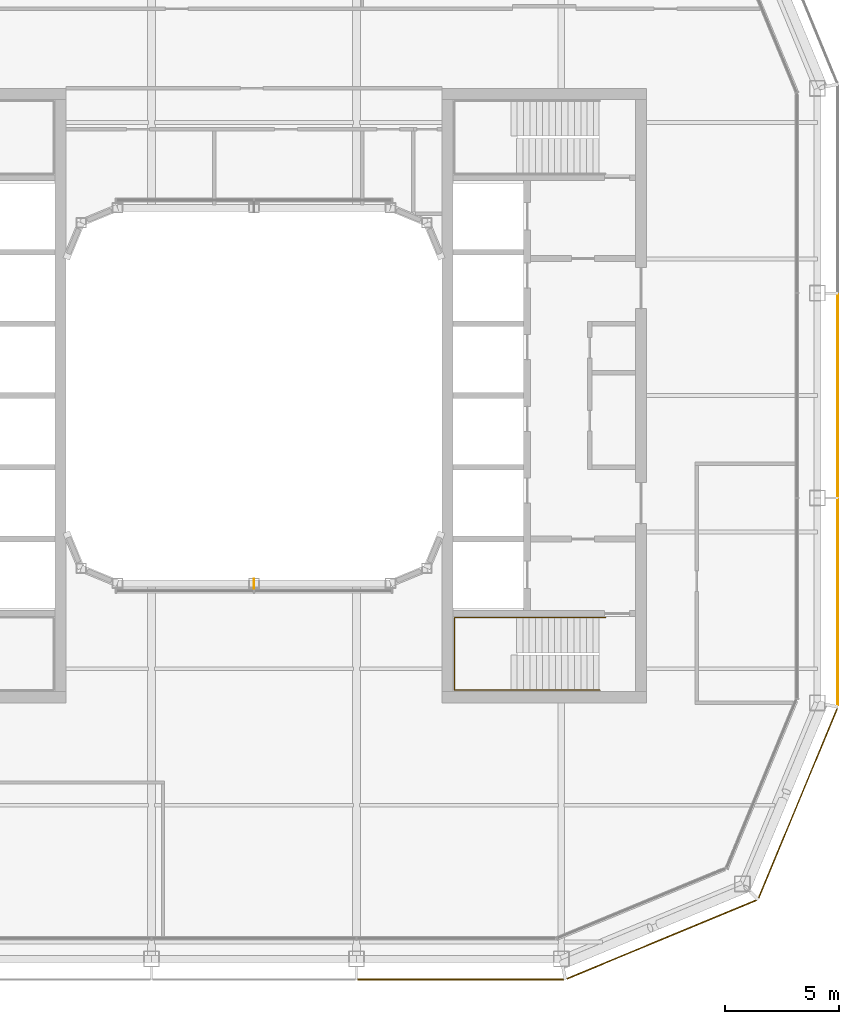
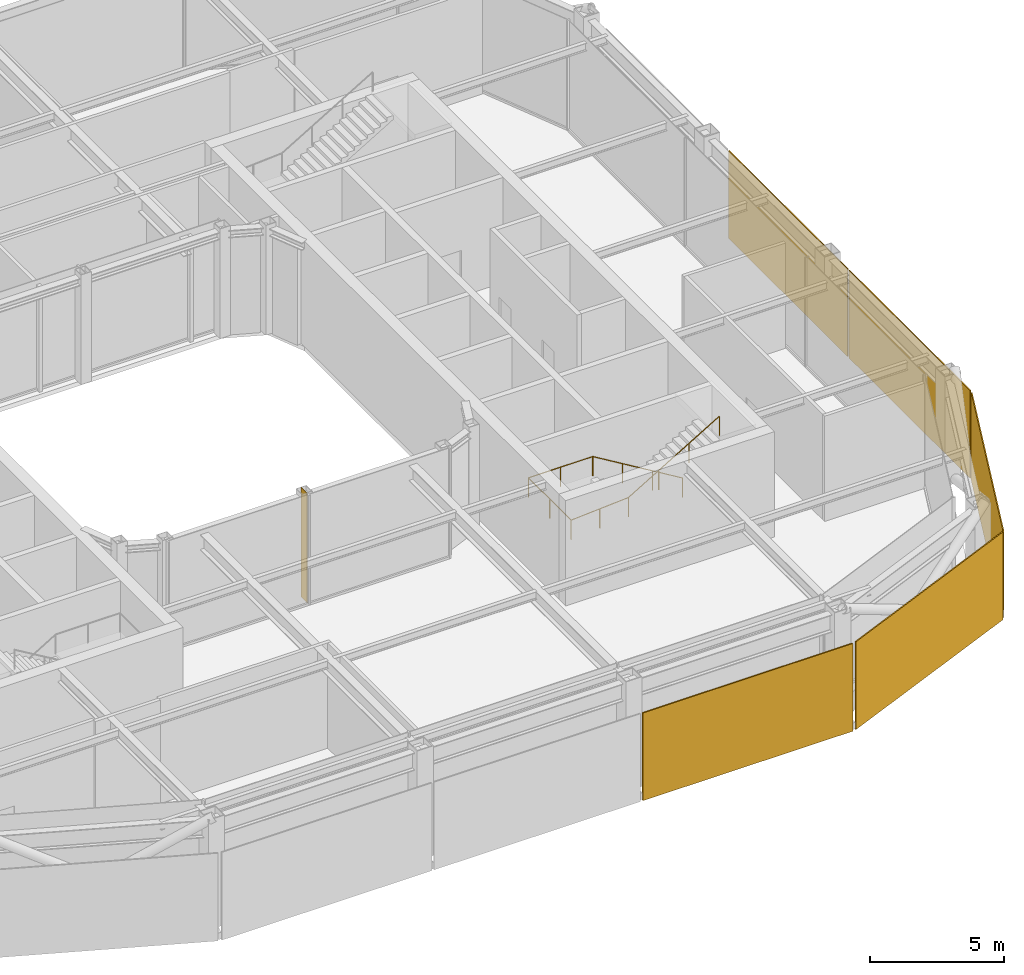
# One storey, part 15 of 17: 5 coverings, 1 railing, 1 shading device.
"""IFC4 building model written with IfcOpenShell, lengths in metres."""

from ifc_helpers import new_model, si_unit, direction, frame, origin, origin_2d, place, context, subcontext, project, spatial, rectangle, circle, extrude, material, layer, layer_set, type_object, element, save


model = new_model("IFC4")

# Units and contexts
model_context = context("Model", 3, precision=1e-05, world=origin(), true_north=direction((0.0, 1.0)))
body_context = subcontext(model_context, "Body", "Model", "MODEL_VIEW")
ifc_project = project(units=[si_unit("LENGTHUNIT", "METRE"), si_unit("AREAUNIT", "SQUARE_METRE"), si_unit("VOLUMEUNIT", "CUBIC_METRE"), si_unit("PLANEANGLEUNIT", "RADIAN"), si_unit("MASSUNIT", "GRAM", prefix="KILO")], contexts=[model_context])

# Site, building, storey
site_placement = place(None, origin())
site = spatial("IfcSite", under=ifc_project, at=site_placement, CompositionType="ELEMENT")
building_placement = place(site_placement, origin())
building = spatial("IfcBuilding", under=site, at=building_placement, Name="Siwar Civic Tower", CompositionType="ELEMENT")
storey_placement = place(building_placement, frame((0.0, 0.0, 353.199951171875)))
storey = spatial("IfcBuildingStorey", under=building, at=storey_placement, Name="L76", CompositionType="ELEMENT", Elevation=353.199951171875)

# Railing
ifc_material_1 = material(Name="Stainless steel", Category="steel")
railing_type = type_object("IfcRailingType", Name="CORE-STAIR-HANDRAIL", PredefinedType="HANDRAIL", material=ifc_material_1)
railing_placement = place(storey_placement, frame((15.449951171875, -9.758056640625, 0.166748046875)))
element("IfcRailing", 1, at=railing_placement, inside=storey, type_object=railing_type, Name="Stair handrail ST4", PredefinedType="HANDRAIL", context=body_context, shape_type="SweptSolid", body=[
    extrude(circle(Radius=0.02001953125, at=origin_2d()), frame((0.0, 0.0, 0.8798828125), z_axis=(-0.856384976194, 0.0, 0.516337847296), x_axis=(0.0, -1.0, 0.0)), (0.0, 0.0, 1.0), 4.518798828125),
    extrude(circle(Radius=0.02001953125, at=origin_2d()), frame((-3.869873046875, 0.0, 3.213134765625), z_axis=(-1.0, 0.0, 0.0), x_axis=(0.0, -1.0, 0.0)), (0.0, 0.0, 1.0), 2.77197265625),
    extrude(circle(Radius=0.02001953125, at=origin_2d()), frame((-6.641845703125, 0.0, 3.213134765625), z_axis=(0.0, -1.0, 0.0), x_axis=(1.0, 0.0, 0.0)), (0.0, 0.0, 1.0), 3.183837890625),
    extrude(circle(Radius=0.02001953125, at=origin_2d()), frame((-6.641845703125, -3.183837890625, 3.213134765625), z_axis=(0.997732526271, 0.0, 0.067303833624), x_axis=(0.0, 1.0, 0.0)), (0.0, 0.0, 1.0), 2.4775390625),
    extrude(circle(Radius=0.02001953125, at=origin_2d()), frame((-4.169921875, -3.183837890625, 3.3798828125), z_axis=(0.859296244711, 0.0, 0.511478214419), x_axis=(0.0, 1.0, 0.0)), (0.0, 0.0, 1.0), 4.561767578125),
    extrude(circle(Radius=0.02001953125, at=origin_2d()), origin(), (0.0, 0.0, 1.0), 0.85986328125),
    extrude(circle(Radius=0.02001953125, at=origin_2d()), frame((-1.2900390625, 0.0, 0.77783203125)), (0.0, 0.0, 1.0), 0.85986328125),
    extrude(circle(Radius=0.02001953125, at=origin_2d()), frame((-2.579833984375, 0.0, 1.555419921875)), (0.0, 0.0, 1.0), 0.85986328125),
    extrude(circle(Radius=0.02001953125, at=origin_2d()), frame((-3.869873046875, 0.0, 2.333251953125)), (0.0, 0.0, 1.0), 0.85986328125),
    extrude(circle(Radius=0.02001953125, at=origin_2d()), frame((-5.255859375, 0.0, 2.333251953125)), (0.0, 0.0, 1.0), 0.85986328125),
    extrude(circle(Radius=0.02001953125, at=origin_2d()), frame((-6.641845703125, 0.0, 2.333251953125)), (0.0, 0.0, 1.0), 0.85986328125),
    extrude(circle(Radius=0.02001953125, at=origin_2d()), frame((-6.641845703125, -1.591796875, 2.333251953125)), (0.0, 0.0, 1.0), 0.85986328125),
    extrude(circle(Radius=0.02001953125, at=origin_2d()), frame((-6.641845703125, -3.183837890625, 2.333251953125)), (0.0, 0.0, 1.0), 0.85986328125),
    extrude(circle(Radius=0.02001953125, at=origin_2d()), frame((-5.40576171875, -3.183837890625, 2.41650390625)), (0.0, 0.0, 1.0), 0.85986328125),
    extrude(circle(Radius=0.02001953125, at=origin_2d()), frame((-4.169921875, -3.183837890625, 2.5)), (0.0, 0.0, 1.0), 0.85986328125),
    extrude(circle(Radius=0.02001953125, at=origin_2d()), frame((-2.86328125, -3.183837890625, 3.27783203125)), (0.0, 0.0, 1.0), 0.85986328125),
    extrude(circle(Radius=0.02001953125, at=origin_2d()), frame((-1.556640625, -3.183837890625, 4.055419921875)), (0.0, 0.0, 1.0), 0.85986328125),
    extrude(circle(Radius=0.02001953125, at=origin_2d()), frame((-0.25, -3.183837890625, 4.833251953125)), (0.0, 0.0, 1.0), 0.85986328125),
])

# Shading device
ifc_material_2 = material(Name="Aluminium 6063-T6", Category="aluminium")
ifc_layer_1 = layer(ifc_material_2, 0.02001953125)
ifc_layer_set_1 = layer_set([ifc_layer_1], Name="Aluminium 6063-T6")
shading_device_type = type_object("IfcShadingDeviceType", Name="ENV-FIN", PredefinedType="JALOUSIE", material=ifc_layer_set_1)
shading_device_placement = place(storey_placement, frame((0.0, -8.27001953125, 0.0), z_axis=(0.0, 0.0, 1.0), x_axis=(1.0, 0.0, 0.0)))
element("IfcShadingDevice", 2, at=shading_device_placement, inside=storey, type_object=shading_device_type, Name="SUNSHADE fin WS 1", PredefinedType="JALOUSIE", context=body_context, shape_type="SweptSolid", body=[
    extrude(rectangle(XDim=0.02001953125, YDim=0.449951171875, at=origin_2d()), origin(), (0.0, 0.0, 1.0), 5.0),
])

# Coverings
ifc_material_3 = material(Name="Perforated aluminium cassette, pale metal", Category="aluminium")
ifc_layer_2 = layer(ifc_material_3, 0.0400390625)
ifc_layer_set_2 = layer_set([ifc_layer_2], Name="Perforated aluminium cassette, pale metal")
covering_type_1 = type_object("IfcCoveringType", Name="ENV-OUTER SKIN OS-1", PredefinedType="CLADDING", material=ifc_layer_set_2)
covering_1_placement = place(storey_placement, frame((25.64990234375, -9.07958984375, -0.199951171875), z_axis=(0.0, 0.0, 1.0), x_axis=(0.0, 1.0, 0.0)))
element("IfcCovering", 3, at=covering_1_placement, inside=storey, type_object=covering_type_1, Name="OUTER SKIN OS-1 E 1", PredefinedType="CLADDING", context=body_context, shape_type="SweptSolid", body=[
    extrude(rectangle(XDim=9.05908203125, YDim=0.0400390625, at=origin_2d()), origin(), (0.0, 0.0, 1.0), 4.0),
])
covering_2_placement = place(storey_placement, frame((25.64990234375, 0.0, -0.199951171875), z_axis=(0.0, 0.0, 1.0), x_axis=(0.0, 1.0, 0.0)))
element("IfcCovering", 4, at=covering_2_placement, inside=storey, type_object=covering_type_1, Name="OUTER SKIN OS-1 E 2", PredefinedType="CLADDING", context=body_context, shape_type="SweptSolid", body=[
    extrude(rectangle(XDim=8.89990234375, YDim=0.0400390625, at=origin_2d()), origin(), (0.0, 0.0, 1.0), 4.0),
])
ifc_material_4 = material(Name="Perforated aluminium cassette, pale metal", Category="aluminium")
ifc_layer_3 = layer(ifc_material_4, 0.044921875)
ifc_layer_set_3 = layer_set([ifc_layer_3], Name="Perforated aluminium cassette, pale metal")
covering_type_2 = type_object("IfcCoveringType", Name="ENV-OUTER SKIN OS-2", PredefinedType="CLADDING", material=ifc_layer_set_3)
covering_3_placement = place(storey_placement, frame((23.89697265625, -17.911376953125, -0.199951171875), z_axis=(0.0, 0.0, 1.0), x_axis=(0.382683432365, 0.923879532511, 0.0)))
element("IfcCovering", 5, at=covering_3_placement, inside=storey, type_object=covering_type_2, Name="OUTER SKIN OS-2 SE2 1", PredefinedType="CLADDING", context=body_context, shape_type="SweptSolid", body=[
    extrude(rectangle(XDim=9.022216796875, YDim=0.044921875, at=origin_2d()), origin(), (0.0, 0.0, 1.0), 4.0),
])
ifc_material_5 = material(Name="Perforated aluminium cassette, pale metal", Category="aluminium")
ifc_layer_4 = layer(ifc_material_5, 0.050048828125)
ifc_layer_set_4 = layer_set([ifc_layer_4], Name="Perforated aluminium cassette, pale metal")
covering_type_3 = type_object("IfcCoveringType", Name="ENV-OUTER SKIN OS-3", PredefinedType="CLADDING", material=ifc_layer_set_4)
covering_4_placement = place(storey_placement, frame((17.911376953125, -23.89697265625, -0.199951171875), z_axis=(0.0, 0.0, 1.0), x_axis=(0.923879532511, 0.382683432365, 0.0)))
element("IfcCovering", 6, at=covering_4_placement, inside=storey, type_object=covering_type_3, Name="OUTER SKIN OS-3 SE1 1", PredefinedType="CLADDING", context=body_context, shape_type="SweptSolid", body=[
    extrude(rectangle(XDim=9.022216796875, YDim=0.050048828125, at=origin_2d()), origin(), (0.0, 0.0, 1.0), 4.0),
])
ifc_material_6 = material(Name="Perforated aluminium cassette, pale metal", Category="aluminium")
ifc_layer_5 = layer(ifc_material_6, 0.054931640625)
ifc_layer_set_5 = layer_set([ifc_layer_5], Name="Perforated aluminium cassette, pale metal")
covering_type_4 = type_object("IfcCoveringType", Name="ENV-OUTER SKIN OS-4", PredefinedType="CLADDING", material=ifc_layer_set_5)
covering_5_placement = place(storey_placement, frame((9.07958984375, -25.64990234375, -0.199951171875), z_axis=(0.0, 0.0, 1.0), x_axis=(1.0, 0.0, 0.0)))
element("IfcCovering", 7, at=covering_5_placement, inside=storey, type_object=covering_type_4, Name="OUTER SKIN OS-4 S 3", PredefinedType="CLADDING", context=body_context, shape_type="SweptSolid", body=[
    extrude(rectangle(XDim=9.05908203125, YDim=0.054931640625, at=origin_2d()), origin(), (0.0, 0.0, 1.0), 4.0),
])

save(model, "model.ifc")
